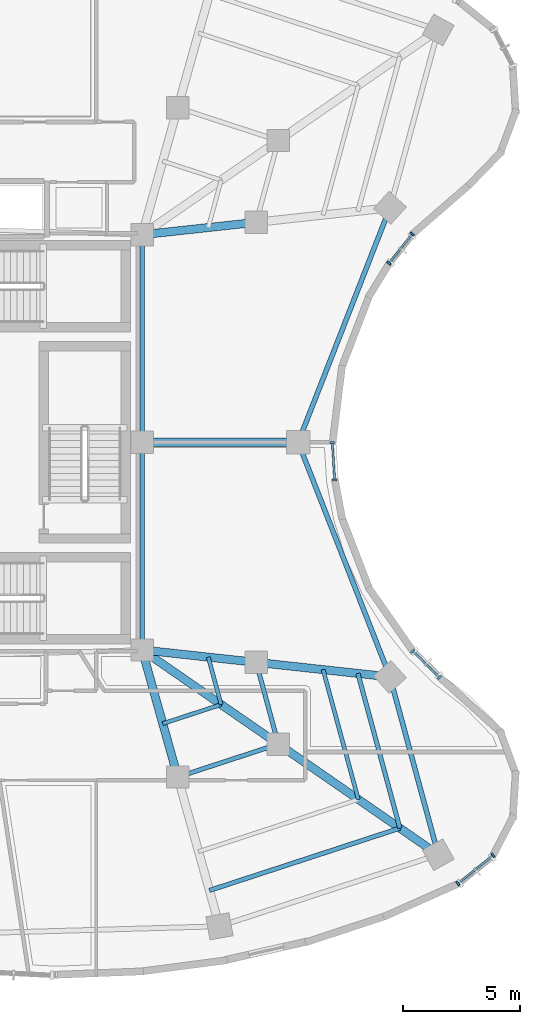
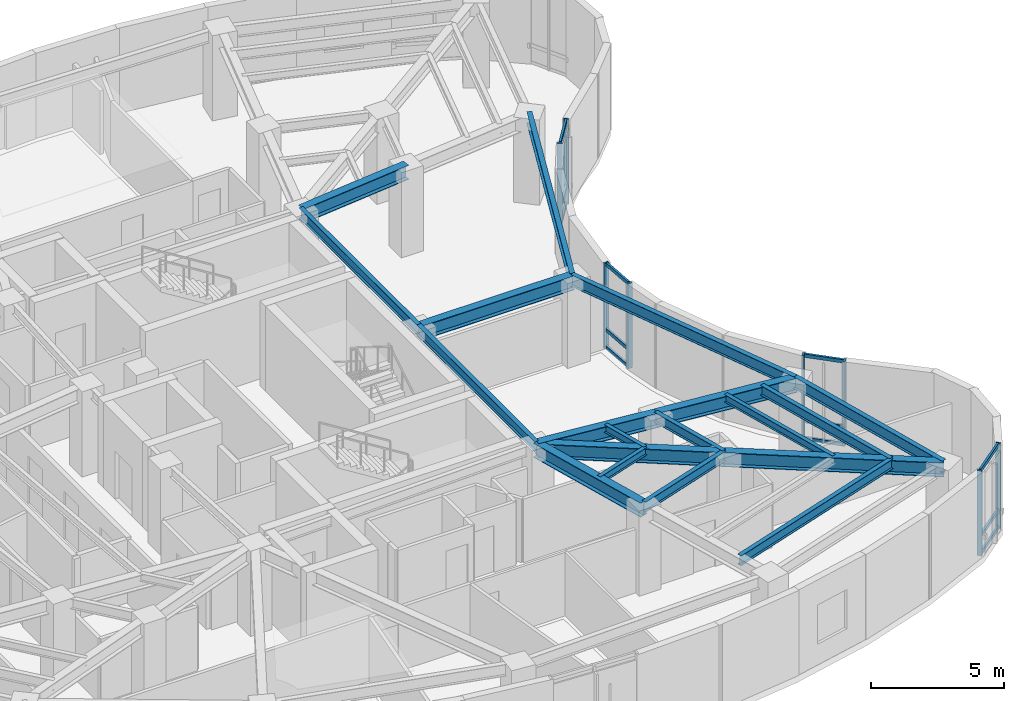
# One storey, part 4 of 15: 20 members, 19 beams, 4 elements without a shape of their own.
"""IFC4 building model written with IfcOpenShell, lengths in metres."""

from ifc_helpers import new_model, si_unit, direction, frame, origin, origin_2d, place, context, subcontext, project, spatial, rectangle, i_section, extrude, material, layer, layer_set, material_profile, profile_set, type_object, element, aggregate, save


model = new_model("IFC4")

# Units and contexts
model_context = context("Model", 3, precision=1e-05, world=origin(), true_north=direction((0.0, 1.0)))
body_context = subcontext(model_context, "Body", "Model", "MODEL_VIEW")
ifc_project = project(units=[si_unit("LENGTHUNIT", "METRE"), si_unit("AREAUNIT", "SQUARE_METRE"), si_unit("VOLUMEUNIT", "CUBIC_METRE"), si_unit("PLANEANGLEUNIT", "RADIAN"), si_unit("MASSUNIT", "GRAM", prefix="KILO")], contexts=[model_context])

# Site, building, storey
site_placement = place(None, origin())
site = spatial("IfcSite", under=ifc_project, at=site_placement, CompositionType="ELEMENT")
building_placement = place(site_placement, origin())
building = spatial("IfcBuilding", under=site, at=building_placement, Name="Korentha Bioscience Tower", CompositionType="ELEMENT")
storey_placement = place(building_placement, frame((0.0, 0.0, 235.199951171875)))
storey = spatial("IfcBuildingStorey", under=building, at=storey_placement, Name="L54", CompositionType="ELEMENT", Elevation=235.199951171875)

# Beams
ifc_material_1 = material(Name="Steel S355", Category="steel")
ifc_material_profile_1 = material_profile(ifc_material_1, i_section(OverallWidth=0.18994140625, OverallDepth=0.45703125, WebThickness=0.009033203125, FlangeThickness=0.014404296875, at=origin_2d()), Name="Steel S355")
ifc_profile_set_1 = profile_set([ifc_material_profile_1], Name="Steel S355 (MB-460)")
beam_type_1 = type_object("IfcBeamType", Name="Mid-Ring Tie Girder W460x74", PredefinedType="BEAM", material=ifc_profile_set_1)
beam_1_placement = place(storey_placement, frame((39.066650390625, 12.730224609375, 3.671630859375), z_axis=(0.950447398506, 0.310885417274, 0.0), x_axis=(-0.310885417274, 0.950447398506, 0.0)))
element("IfcBeam", 1, at=beam_1_placement, inside=storey, type_object=beam_type_1, Name="L54 Mid-Ring Tie Girder 12", PredefinedType="BEAM", context=body_context, shape_type="SweptSolid", body=[
    extrude(i_section(OverallWidth=0.18994140625, OverallDepth=0.45703125, WebThickness=0.009033203125, FlangeThickness=0.014404296875, at=origin_2d()), origin(), (0.0, 0.0, 1.0), 4.5146484375),
])
beam_2_placement = place(storey_placement, frame((43.357666015625, 14.1337890625, 3.671630859375), z_axis=(-0.262122358011, 0.965034646752, 0.0), x_axis=(-0.965034646752, -0.262122358011, 0.0)))
element("IfcBeam", 2, at=beam_2_placement, inside=storey, type_object=beam_type_1, Name="L54 Mid-Ring Tie Girder 13", PredefinedType="BEAM", context=body_context, shape_type="SweptSolid", body=[
    extrude(i_section(OverallWidth=0.18994140625, OverallDepth=0.45703125, WebThickness=0.009033203125, FlangeThickness=0.014404296875, at=origin_2d()), origin(), (0.0, 0.0, 1.0), 3.61279296875),
])
for number, where, z_axis, x_axis, name in (
    (3, (37.550048828125, 18.14990234375, 3.671630859375), (0.0, 1.0, 0.0), (-1.0, 0.0, 0.0), "L54 Core Ring Tie Girder 06"),
    (4, (37.550048828125, 27.0, 3.671630859375), (0.0, 1.0, 0.0), (-1.0, 0.0, 0.0), "L54 Core Ring Tie Girder 07"),
):
    element("IfcBeam", number, at=place(storey_placement, frame(where, z_axis=z_axis, x_axis=x_axis)), inside=storey, type_object=beam_type_1, Name=name, PredefinedType="BEAM", context=body_context, shape_type="SweptSolid", body=[
        extrude(i_section(OverallWidth=0.18994140625, OverallDepth=0.45703125, WebThickness=0.009033203125, FlangeThickness=0.014404296875, at=origin_2d()), origin(), (0.0, 0.0, 1.0), 8.85009765625),
    ])

# Curtain wall, members
ifc_material_2 = material(Name="Thermally Broken Aluminium Frame", Category="aluminium")
ifc_layer_1 = layer(ifc_material_2, 0.219970703125, Name="Thermally Broken Aluminium Frame")
ifc_layer_set_1 = layer_set([ifc_layer_1], Name="Thermally Broken Aluminium Frame (CW-T2)")
curtain_wall_type_1 = type_object("IfcCurtainWallType", Name="Solar-Screened Lab Unitised Curtain Wall CW-T2", PredefinedType="USERDEFINED", material=ifc_layer_set_1)
curtain_wall_1_placement = place(storey_placement, origin())
curtain_wall_1 = element("IfcCurtainWall", 5, at=curtain_wall_1_placement, inside=storey, type_object=curtain_wall_type_1, Name="L54 Curtain Wall 37", ObjectType="UNITISED", PredefinedType="USERDEFINED")
ifc_material_3 = material(Name="Anodised Aluminium 6063-T6", Category="aluminium")
ifc_material_profile_2 = material_profile(ifc_material_3, rectangle(XDim=0.090087890625, YDim=0.199951171875, at=origin_2d()), Name="Anodised Aluminium 6063-T6")
ifc_profile_set_2 = profile_set([ifc_material_profile_2], Name="Anodised Aluminium 6063-T6 (CW-MUL)")
member_type_1 = type_object("IfcMemberType", Name="Mullion RECT 90x200", PredefinedType="MULLION", material=ifc_profile_set_2)
member_1_placement = place(storey_placement, frame((51.01171875, 8.188720703125, 0.0), z_axis=(0.0, 0.0, 1.0), x_axis=(0.779197616162, 0.626778330008, 0.0)))
member_1 = element("IfcMember", 6, at=member_1_placement, type_object=member_type_1, Name="CW-L54-37 Mullion 1", PredefinedType="MULLION", context=body_context, shape_type="SweptSolid", body=[
    extrude(rectangle(XDim=0.090087890625, YDim=0.199951171875, at=origin_2d()), origin(), (0.0, 0.0, 1.0), 3.900146484375),
])
member_2_placement = place(storey_placement, frame((52.5087890625, 9.39306640625, 0.0), z_axis=(0.0, 0.0, 1.0), x_axis=(0.779197616162, 0.626778330008, 0.0)))
member_2 = element("IfcMember", 7, at=member_2_placement, type_object=member_type_1, Name="CW-L54-37 Mullion 2", PredefinedType="MULLION", context=body_context, shape_type="SweptSolid", body=[
    extrude(rectangle(XDim=0.090087890625, YDim=0.199951171875, at=origin_2d()), origin(), (0.0, 0.0, 1.0), 3.900146484375),
])

curtain_wall_2_placement = place(storey_placement, origin())
curtain_wall_2 = element("IfcCurtainWall", 8, at=curtain_wall_2_placement, inside=storey, type_object=curtain_wall_type_1, Name="L54 Curtain Wall 43", ObjectType="UNITISED", PredefinedType="USERDEFINED")
member_3_placement = place(storey_placement, frame((50.2197265625, 16.978759765625, 0.0), z_axis=(0.0, 0.0, 1.0), x_axis=(-0.713258270268, 0.700901305388, 0.0)))
member_3 = element("IfcMember", 9, at=member_3_placement, type_object=member_type_1, Name="CW-L54-43 Mullion 1", PredefinedType="MULLION", context=body_context, shape_type="SweptSolid", body=[
    extrude(rectangle(XDim=0.090087890625, YDim=0.199951171875, at=origin_2d()), origin(), (0.0, 0.0, 1.0), 3.900146484375),
])
member_4_placement = place(storey_placement, frame((49.08349609375, 18.095703125, 0.0), z_axis=(0.0, 0.0, 1.0), x_axis=(-0.713258270268, 0.700901305388, 0.0)))
member_4 = element("IfcMember", 10, at=member_4_placement, type_object=member_type_1, Name="CW-L54-43 Mullion 2", PredefinedType="MULLION", context=body_context, shape_type="SweptSolid", body=[
    extrude(rectangle(XDim=0.090087890625, YDim=0.199951171875, at=origin_2d()), origin(), (0.0, 0.0, 1.0), 3.900146484375),
])

ifc_layer_2 = layer(ifc_material_2, 0.219970703125, Name="Thermally Broken Aluminium Frame")
ifc_layer_set_2 = layer_set([ifc_layer_2], Name="Thermally Broken Aluminium Frame (CW-T1)")
curtain_wall_type_2 = type_object("IfcCurtainWallType", Name="Standard Bioscience Lab Unitised Curtain Wall CW-T1", PredefinedType="USERDEFINED", material=ifc_layer_set_2)
curtain_wall_3_placement = place(storey_placement, origin())
curtain_wall_3 = element("IfcCurtainWall", 11, at=curtain_wall_3_placement, inside=storey, type_object=curtain_wall_type_2, Name="L54 Curtain Wall 49", ObjectType="UNITISED", PredefinedType="USERDEFINED")
member_5_placement = place(storey_placement, frame((45.7568359375, 25.39501953125, 0.0), z_axis=(0.0, 0.0, 1.0), x_axis=(-0.06095424178, 0.998140561449, 0.0)))
member_5 = element("IfcMember", 12, at=member_5_placement, type_object=member_type_1, Name="CW-L54-49 Mullion 1", PredefinedType="MULLION", context=body_context, shape_type="SweptSolid", body=[
    extrude(rectangle(XDim=0.090087890625, YDim=0.199951171875, at=origin_2d()), origin(), (0.0, 0.0, 1.0), 3.900146484375),
])
member_6_placement = place(storey_placement, frame((45.65966796875, 26.985107421875, 0.0), z_axis=(0.0, 0.0, 1.0), x_axis=(-0.06095424178, 0.998140561449, 0.0)))
member_6 = element("IfcMember", 13, at=member_6_placement, type_object=member_type_1, Name="CW-L54-49 Mullion 2", PredefinedType="MULLION", context=body_context, shape_type="SweptSolid", body=[
    extrude(rectangle(XDim=0.090087890625, YDim=0.199951171875, at=origin_2d()), origin(), (0.0, 0.0, 1.0), 3.900146484375),
])

curtain_wall_4_placement = place(storey_placement, origin())
curtain_wall_4 = element("IfcCurtainWall", 14, at=curtain_wall_4_placement, inside=storey, type_object=curtain_wall_type_1, Name="L54 Curtain Wall 55", ObjectType="UNITISED", PredefinedType="USERDEFINED")
member_7_placement = place(storey_placement, frame((48.07177734375, 34.635498046875, 0.0), z_axis=(0.0, 0.0, 1.0), x_axis=(0.622511989066, 0.782610262819, 0.0)))
member_7 = element("IfcMember", 15, at=member_7_placement, type_object=member_type_1, Name="CW-L54-55 Mullion 1", PredefinedType="MULLION", context=body_context, shape_type="SweptSolid", body=[
    extrude(rectangle(XDim=0.090087890625, YDim=0.199951171875, at=origin_2d()), origin(), (0.0, 0.0, 1.0), 3.900146484375),
])
member_8_placement = place(storey_placement, frame((49.063720703125, 35.882568359375, 0.0), z_axis=(0.0, 0.0, 1.0), x_axis=(0.622511989066, 0.782610262819, 0.0)))
member_8 = element("IfcMember", 16, at=member_8_placement, type_object=member_type_1, Name="CW-L54-55 Mullion 2", PredefinedType="MULLION", context=body_context, shape_type="SweptSolid", body=[
    extrude(rectangle(XDim=0.090087890625, YDim=0.199951171875, at=origin_2d()), origin(), (0.0, 0.0, 1.0), 3.900146484375),
])

# Beams
ifc_material_profile_3 = material_profile(ifc_material_1, i_section(OverallWidth=0.208984375, OverallDepth=0.532958984375, WebThickness=0.01025390625, FlangeThickness=0.015625, at=origin_2d()), Name="Steel S355")
ifc_profile_set_3 = profile_set([ifc_material_profile_3], Name="Steel S355 (SB-530)")
beam_type_2 = type_object("IfcBeamType", Name="Perimeter Ring Spandrel Girder W530x92", PredefinedType="SPANDREL", material=ifc_profile_set_3)
beam_3_placement = place(storey_placement, frame((50.175537109375, 9.419189453125, 3.633544921875), z_axis=(-0.26215989838, 0.965024449266, 0.0), x_axis=(-0.965024449266, -0.26215989838, 0.0)))
element("IfcBeam", 17, at=beam_3_placement, inside=storey, type_object=beam_type_2, Name="L54 Perimeter Spandrel Girder 13", PredefinedType="SPANDREL", context=body_context, shape_type="SweptSolid", body=[
    extrude(i_section(OverallWidth=0.208984375, OverallDepth=0.532958984375, WebThickness=0.01025390625, FlangeThickness=0.015625, at=origin_2d()), origin(), (0.0, 0.0, 1.0), 7.854248046875),
])
for number, where, z_axis, x_axis, name in (
    (18, (48.116455078125, 16.998779296875, 3.633544921875), (-0.364482486075, 0.931210243363, 0.0), (-0.931210243363, -0.364482486075, 0.0), "L54 Perimeter Spandrel Girder 14"),
    (19, (44.201904296875, 27.0, 3.633544921875), (0.364482486075, 0.931210243363, 0.0), (-0.931210243363, 0.364482486075, 0.0), "L54 Perimeter Spandrel Girder 15"),
):
    element("IfcBeam", number, at=place(storey_placement, frame(where, z_axis=z_axis, x_axis=x_axis)), inside=storey, type_object=beam_type_2, Name=name, PredefinedType="SPANDREL", context=body_context, shape_type="SweptSolid", body=[
        extrude(i_section(OverallWidth=0.208984375, OverallDepth=0.532958984375, WebThickness=0.01025390625, FlangeThickness=0.015625, at=origin_2d()), origin(), (0.0, 0.0, 1.0), 10.739990234375),
    ])
ifc_material_profile_4 = material_profile(ifc_material_1, i_section(OverallWidth=0.18994140625, OverallDepth=0.45703125, WebThickness=0.009033203125, FlangeThickness=0.014404296875, at=origin_2d()), Name="Steel S355")
ifc_profile_set_4 = profile_set([ifc_material_profile_4], Name="Steel S355 (RB-460)")
beam_type_3 = type_object("IfcBeamType", Name="Radial Laboratory Beam W460x74", PredefinedType="BEAM", material=ifc_profile_set_4)
beam_4_placement = place(storey_placement, frame((40.419677734375, 7.89501953125, 3.671630859375), z_axis=(0.950451488918, 0.310872911674, 0.0), x_axis=(-0.310872911674, 0.950451488918, 0.0)))
element("IfcBeam", 20, at=beam_4_placement, inside=storey, type_object=beam_type_3, Name="L54 Secondary Floor Beam JSTO-12", PredefinedType="BEAM", context=body_context, shape_type="SweptSolid", body=[
    extrude(i_section(OverallWidth=0.18994140625, OverallDepth=0.45703125, WebThickness=0.009033203125, FlangeThickness=0.014404296875, at=origin_2d()), origin(), (0.0, 0.0, 1.0), 8.54296875),
])
beam_5_placement = place(storey_placement, frame((48.539306640625, 10.55078125, 3.671630859375), z_axis=(-0.262165402462, 0.965022954003, 0.0), x_axis=(-0.965022954003, -0.262165402462, 0.0)))
element("IfcBeam", 21, at=beam_5_placement, inside=storey, type_object=beam_type_3, Name="L54 Secondary Floor Beam JSTO-13", PredefinedType="BEAM", context=body_context, shape_type="SweptSolid", body=[
    extrude(i_section(OverallWidth=0.18994140625, OverallDepth=0.45703125, WebThickness=0.009033203125, FlangeThickness=0.014404296875, at=origin_2d()), origin(), (0.0, 0.0, 1.0), 6.836181640625),
])
ifc_material_profile_5 = material_profile(ifc_material_1, i_section(OverallWidth=0.35009765625, OverallDepth=0.64990234375, WebThickness=0.01611328125, FlangeThickness=0.02490234375, at=origin_2d()), Name="Steel S355")
ifc_profile_set_5 = profile_set([ifc_material_profile_5], Name="Steel S355 (RB-650)")
beam_type_4 = type_object("IfcBeamType", Name="Radial Laboratory Girder CVS 650x208", PredefinedType="BEAM", material=ifc_profile_set_5)
beam_6_placement = place(storey_placement, frame((37.550048828125, 18.14990234375, 3.574951171875), z_axis=(0.269480278508, -0.963005908339, 0.0), x_axis=(0.963005908339, 0.269480278508, 0.0)))
element("IfcBeam", 22, at=beam_6_placement, inside=storey, type_object=beam_type_4, Name="L54 Inner Radial Girder 12", PredefinedType="BEAM", context=body_context, shape_type="SweptSolid", body=[
    extrude(i_section(OverallWidth=0.35009765625, OverallDepth=0.64990234375, WebThickness=0.01611328125, FlangeThickness=0.02490234375, at=origin_2d()), origin(), (0.0, 0.0, 1.0), 5.6279296875),
])
beam_7_placement = place(storey_placement, frame((37.550048828125, 18.14990234375, 3.574951171875), z_axis=(0.822493302413, -0.568774795052, 0.0), x_axis=(0.568774795052, 0.822493302413, 0.0)))
element("IfcBeam", 23, at=beam_7_placement, inside=storey, type_object=beam_type_4, Name="L54 Inner Radial Girder 13", PredefinedType="BEAM", context=body_context, shape_type="SweptSolid", body=[
    extrude(i_section(OverallWidth=0.35009765625, OverallDepth=0.64990234375, WebThickness=0.01611328125, FlangeThickness=0.02490234375, at=origin_2d()), origin(), (0.0, 0.0, 1.0), 7.06103515625),
])
beam_8_placement = place(storey_placement, frame((43.357666015625, 14.1337890625, 3.574951171875), z_axis=(0.82250061903, -0.568764214499, 0.0), x_axis=(0.568764214499, 0.82250061903, 0.0)))
element("IfcBeam", 24, at=beam_8_placement, inside=storey, type_object=beam_type_4, Name="L54 Outer Radial Girder 13", PredefinedType="BEAM", context=body_context, shape_type="SweptSolid", body=[
    extrude(i_section(OverallWidth=0.35009765625, OverallDepth=0.64990234375, WebThickness=0.01611328125, FlangeThickness=0.02490234375, at=origin_2d()), origin(), (0.0, 0.0, 1.0), 8.289306640625),
])
beam_9_placement = place(storey_placement, frame((37.550048828125, 18.14990234375, 3.574951171875), z_axis=(0.994117728659, -0.108304854762, 0.0), x_axis=(0.108304854762, 0.994117728659, 0.0)))
element("IfcBeam", 25, at=beam_9_placement, inside=storey, type_object=beam_type_4, Name="L54 Inner Radial Girder 14", PredefinedType="BEAM", context=body_context, shape_type="SweptSolid", body=[
    extrude(i_section(OverallWidth=0.35009765625, OverallDepth=0.64990234375, WebThickness=0.01611328125, FlangeThickness=0.02490234375, at=origin_2d()), origin(), (0.0, 0.0, 1.0), 4.889404296875),
])
beam_10_placement = place(storey_placement, frame((42.41064453125, 17.620361328125, 3.574951171875), z_axis=(0.994118507308, -0.108297707398, 0.0), x_axis=(0.108297707398, 0.994118507308, 0.0)))
element("IfcBeam", 26, at=beam_10_placement, inside=storey, type_object=beam_type_4, Name="L54 Outer Radial Girder 14", PredefinedType="BEAM", context=body_context, shape_type="SweptSolid", body=[
    extrude(i_section(OverallWidth=0.35009765625, OverallDepth=0.64990234375, WebThickness=0.01611328125, FlangeThickness=0.02490234375, at=origin_2d()), origin(), (0.0, 0.0, 1.0), 5.739501953125),
])
beam_11_placement = place(storey_placement, frame((37.550048828125, 27.0, 3.574951171875), z_axis=(1.0, 0.0, 0.0), x_axis=(0.0, 1.0, 0.0)))
element("IfcBeam", 27, at=beam_11_placement, inside=storey, type_object=beam_type_4, Name="L54 Radial Girder 15", PredefinedType="BEAM", context=body_context, shape_type="SweptSolid", body=[
    extrude(i_section(OverallWidth=0.35009765625, OverallDepth=0.64990234375, WebThickness=0.01611328125, FlangeThickness=0.02490234375, at=origin_2d()), origin(), (0.0, 0.0, 1.0), 6.65185546875),
])
beam_12_placement = place(storey_placement, frame((37.550048828125, 35.85009765625, 3.574951171875), z_axis=(0.994117728659, 0.108304854762, 0.0), x_axis=(-0.108304854762, 0.994117728659, 0.0)))
element("IfcBeam", 28, at=beam_12_placement, inside=storey, type_object=beam_type_4, Name="L54 Inner Radial Girder 16", PredefinedType="BEAM", context=body_context, shape_type="SweptSolid", body=[
    extrude(i_section(OverallWidth=0.35009765625, OverallDepth=0.64990234375, WebThickness=0.01611328125, FlangeThickness=0.02490234375, at=origin_2d()), origin(), (0.0, 0.0, 1.0), 4.889404296875),
])
ifc_material_profile_6 = material_profile(ifc_material_1, i_section(OverallWidth=0.1708984375, OverallDepth=0.35498046875, WebThickness=0.007080078125, FlangeThickness=0.01171875, at=origin_2d()), Name="Steel S355")
ifc_profile_set_6 = profile_set([ifc_material_profile_6], Name="Steel S355 (JB-360)")
beam_type_5 = type_object("IfcBeamType", Name="Secondary Laboratory Joist W360x51", PredefinedType="JOIST", material=ifc_profile_set_6)
beam_13_placement = place(storey_placement, frame((38.4296875, 15.006591796875, 3.72265625), z_axis=(0.950458247894, 0.31085224627, 0.0), x_axis=(-0.31085224627, 0.950458247894, 0.0)))
element("IfcBeam", 29, at=beam_13_placement, inside=storey, type_object=beam_type_5, Name="L54 Inner Bay Joist 12", PredefinedType="JOIST", context=body_context, shape_type="SweptSolid", body=[
    extrude(i_section(OverallWidth=0.1708984375, OverallDepth=0.35498046875, WebThickness=0.007080078125, FlangeThickness=0.01171875, at=origin_2d()), origin(), (0.0, 0.0, 1.0), 2.618408203125),
])
beam_14_placement = place(storey_placement, frame((46.7666015625, 11.776611328125, 3.72265625), z_axis=(-0.262133629198, 0.965031585205, 0.0), x_axis=(-0.965031585205, -0.262133629198, 0.0)))
element("IfcBeam", 30, at=beam_14_placement, inside=storey, type_object=beam_type_5, Name="L54 Secondary Floor Beam JST-13", PredefinedType="JOIST", context=body_context, shape_type="SweptSolid", body=[
    extrude(i_section(OverallWidth=0.1708984375, OverallDepth=0.35498046875, WebThickness=0.007080078125, FlangeThickness=0.01171875, at=origin_2d()), origin(), (0.0, 0.0, 1.0), 5.7333984375),
])
beam_15_placement = place(storey_placement, frame((40.91845703125, 15.820556640625, 3.72265625), z_axis=(-0.262141298938, 0.965029501824, 0.0), x_axis=(-0.965029501824, -0.262141298938, 0.0)))
element("IfcBeam", 31, at=beam_15_placement, inside=storey, type_object=beam_type_5, Name="L54 Inner Bay Joist 13", PredefinedType="JOIST", context=body_context, shape_type="SweptSolid", body=[
    extrude(i_section(OverallWidth=0.1708984375, OverallDepth=0.35498046875, WebThickness=0.007080078125, FlangeThickness=0.01171875, at=origin_2d()), origin(), (0.0, 0.0, 1.0), 2.095458984375),
])

# Member
ifc_material_profile_7 = material_profile(ifc_material_3, rectangle(XDim=0.090087890625, YDim=0.159912109375, at=origin_2d()), Name="Anodised Aluminium 6063-T6")
ifc_profile_set_7 = profile_set([ifc_material_profile_7], Name="Anodised Aluminium 6063-T6 (CW-TRN)")
member_type_2 = type_object("IfcMemberType", Name="Transom RECT 90x160", PredefinedType="USERDEFINED", material=ifc_profile_set_7)
member_9_placement = place(storey_placement, frame((51.046630859375, 8.216796875, 0.045166015625), z_axis=(0.779227601678, 0.62674105082, 0.0), x_axis=(-0.62674105082, 0.779227601678, 0.0)))
member_9 = element("IfcMember", 32, at=member_9_placement, type_object=member_type_2, Name="CW-L54-37 Bay 1 Transom 1", ObjectType="TRANSOM", PredefinedType="USERDEFINED", context=body_context, shape_type="SweptSolid", body=[
    extrude(rectangle(XDim=0.090087890625, YDim=0.159912109375, at=origin_2d()), origin(), (0.0, 0.0, 1.0), 1.83154296875),
])

member_10_placement = place(storey_placement, frame((51.046630859375, 8.216796875, 0.85009765625), z_axis=(0.779227601678, 0.62674105082, 0.0), x_axis=(-0.62674105082, 0.779227601678, 0.0)))
member_10 = element("IfcMember", 33, at=member_10_placement, type_object=member_type_2, Name="CW-L54-37 Bay 1 Transom 2", ObjectType="TRANSOM", PredefinedType="USERDEFINED", context=body_context, shape_type="SweptSolid", body=[
    extrude(rectangle(XDim=0.090087890625, YDim=0.159912109375, at=origin_2d()), origin(), (0.0, 0.0, 1.0), 1.83154296875),
])

member_11_placement = place(storey_placement, frame((51.046630859375, 8.216796875, 3.85498046875), z_axis=(0.779227601678, 0.62674105082, 0.0), x_axis=(-0.62674105082, 0.779227601678, 0.0)))
member_11 = element("IfcMember", 34, at=member_11_placement, type_object=member_type_2, Name="CW-L54-37 Bay 1 Transom 3", ObjectType="TRANSOM", PredefinedType="USERDEFINED", context=body_context, shape_type="SweptSolid", body=[
    extrude(rectangle(XDim=0.090087890625, YDim=0.159912109375, at=origin_2d()), origin(), (0.0, 0.0, 1.0), 1.83154296875),
])

aggregate(curtain_wall_1, [member_1, member_2, member_9, member_10, member_11])

member_12_placement = place(storey_placement, frame((50.187744140625, 17.010498046875, 0.045166015625), z_axis=(-0.713332158059, 0.700826107018, 0.0), x_axis=(-0.700826107018, -0.713332158059, 0.0)))
member_12 = element("IfcMember", 35, at=member_12_placement, type_object=member_type_2, Name="CW-L54-43 Bay 1 Transom 1", ObjectType="TRANSOM", PredefinedType="USERDEFINED", context=body_context, shape_type="SweptSolid", body=[
    extrude(rectangle(XDim=0.090087890625, YDim=0.159912109375, at=origin_2d()), origin(), (0.0, 0.0, 1.0), 1.503173828125),
])

member_13_placement = place(storey_placement, frame((50.187744140625, 17.010498046875, 0.85009765625), z_axis=(-0.713332158059, 0.700826107018, 0.0), x_axis=(-0.700826107018, -0.713332158059, 0.0)))
member_13 = element("IfcMember", 36, at=member_13_placement, type_object=member_type_2, Name="CW-L54-43 Bay 1 Transom 2", ObjectType="TRANSOM", PredefinedType="USERDEFINED", context=body_context, shape_type="SweptSolid", body=[
    extrude(rectangle(XDim=0.090087890625, YDim=0.159912109375, at=origin_2d()), origin(), (0.0, 0.0, 1.0), 1.503173828125),
])

member_14_placement = place(storey_placement, frame((50.187744140625, 17.010498046875, 3.85498046875), z_axis=(-0.713332158059, 0.700826107018, 0.0), x_axis=(-0.700826107018, -0.713332158059, 0.0)))
member_14 = element("IfcMember", 37, at=member_14_placement, type_object=member_type_2, Name="CW-L54-43 Bay 1 Transom 3", ObjectType="TRANSOM", PredefinedType="USERDEFINED", context=body_context, shape_type="SweptSolid", body=[
    extrude(rectangle(XDim=0.090087890625, YDim=0.159912109375, at=origin_2d()), origin(), (0.0, 0.0, 1.0), 1.503173828125),
])

aggregate(curtain_wall_2, [member_3, member_4, member_12, member_13, member_14])

member_15_placement = place(storey_placement, frame((45.75390625, 25.439697265625, 0.045166015625), z_axis=(-0.060902034753, 0.998143748246, 0.0), x_axis=(-0.998143748246, -0.060902034753, 0.0)))
member_15 = element("IfcMember", 38, at=member_15_placement, type_object=member_type_2, Name="CW-L54-49 Bay 1 Transom 1", ObjectType="TRANSOM", PredefinedType="USERDEFINED", context=body_context, shape_type="SweptSolid", body=[
    extrude(rectangle(XDim=0.090087890625, YDim=0.159912109375, at=origin_2d()), origin(), (0.0, 0.0, 1.0), 1.503173828125),
])

member_16_placement = place(storey_placement, frame((45.75390625, 25.439697265625, 0.85009765625), z_axis=(-0.060902034753, 0.998143748246, 0.0), x_axis=(-0.998143748246, -0.060902034753, 0.0)))
member_16 = element("IfcMember", 39, at=member_16_placement, type_object=member_type_2, Name="CW-L54-49 Bay 1 Transom 2", ObjectType="TRANSOM", PredefinedType="USERDEFINED", context=body_context, shape_type="SweptSolid", body=[
    extrude(rectangle(XDim=0.090087890625, YDim=0.159912109375, at=origin_2d()), origin(), (0.0, 0.0, 1.0), 1.503173828125),
])

member_17_placement = place(storey_placement, frame((45.75390625, 25.439697265625, 3.85498046875), z_axis=(-0.060902034753, 0.998143748246, 0.0), x_axis=(-0.998143748246, -0.060902034753, 0.0)))
member_17 = element("IfcMember", 40, at=member_17_placement, type_object=member_type_2, Name="CW-L54-49 Bay 1 Transom 3", ObjectType="TRANSOM", PredefinedType="USERDEFINED", context=body_context, shape_type="SweptSolid", body=[
    extrude(rectangle(XDim=0.090087890625, YDim=0.159912109375, at=origin_2d()), origin(), (0.0, 0.0, 1.0), 1.503173828125),
])

aggregate(curtain_wall_3, [member_5, member_6, member_15, member_16, member_17])

member_18_placement = place(storey_placement, frame((48.099609375, 34.670654296875, 0.045166015625), z_axis=(0.622514525424, 0.782608245316, 0.0), x_axis=(-0.782608245316, 0.622514525424, 0.0)))
member_18 = element("IfcMember", 41, at=member_18_placement, type_object=member_type_2, Name="CW-L54-55 Bay 1 Transom 1", ObjectType="TRANSOM", PredefinedType="USERDEFINED", context=body_context, shape_type="SweptSolid", body=[
    extrude(rectangle(XDim=0.090087890625, YDim=0.159912109375, at=origin_2d()), origin(), (0.0, 0.0, 1.0), 1.503662109375),
])

member_19_placement = place(storey_placement, frame((48.099609375, 34.670654296875, 0.85009765625), z_axis=(0.622514525424, 0.782608245316, 0.0), x_axis=(-0.782608245316, 0.622514525424, 0.0)))
member_19 = element("IfcMember", 42, at=member_19_placement, type_object=member_type_2, Name="CW-L54-55 Bay 1 Transom 2", ObjectType="TRANSOM", PredefinedType="USERDEFINED", context=body_context, shape_type="SweptSolid", body=[
    extrude(rectangle(XDim=0.090087890625, YDim=0.159912109375, at=origin_2d()), origin(), (0.0, 0.0, 1.0), 1.503662109375),
])

member_20_placement = place(storey_placement, frame((48.099609375, 34.670654296875, 3.85498046875), z_axis=(0.622514525424, 0.782608245316, 0.0), x_axis=(-0.782608245316, 0.622514525424, 0.0)))
member_20 = element("IfcMember", 43, at=member_20_placement, type_object=member_type_2, Name="CW-L54-55 Bay 1 Transom 3", ObjectType="TRANSOM", PredefinedType="USERDEFINED", context=body_context, shape_type="SweptSolid", body=[
    extrude(rectangle(XDim=0.090087890625, YDim=0.159912109375, at=origin_2d()), origin(), (0.0, 0.0, 1.0), 1.503662109375),
])

aggregate(curtain_wall_4, [member_7, member_8, member_18, member_19, member_20])

save(model, "model.ifc")
